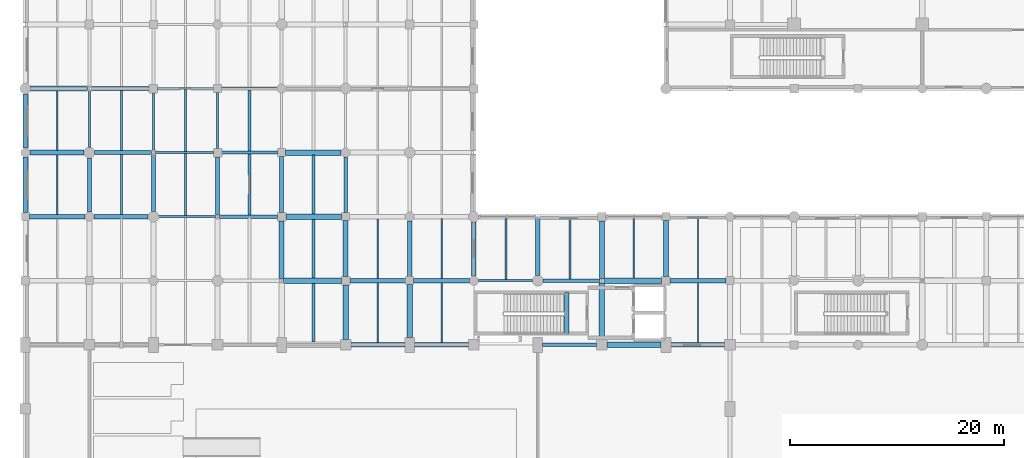
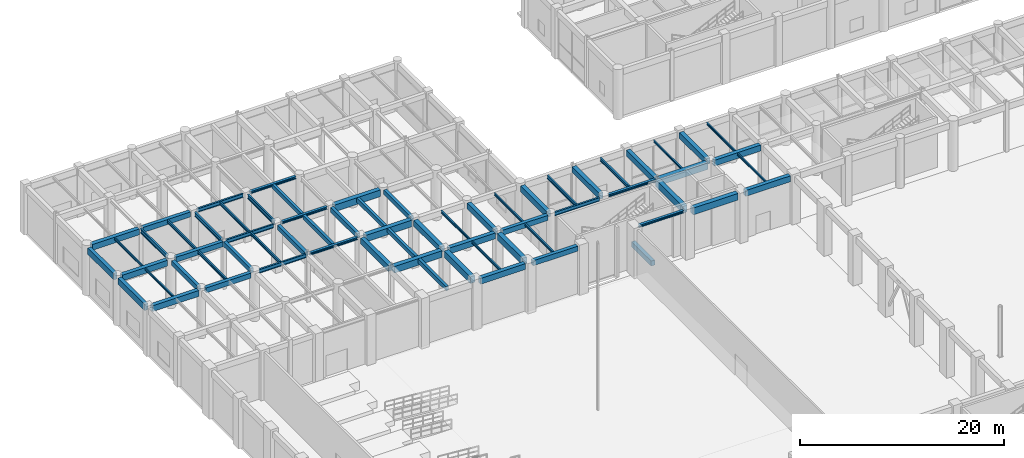
# One storey, part 32 of 106: 67 beams.
"""IFC4 building model written with IfcOpenShell, lengths in metres."""

from ifc_helpers import new_model, si_unit, direction, frame, origin, origin_2d, place, context, subcontext, project, spatial, rectangle, i_section, extrude, material, material_profile, profile_set, type_object, element, save


model = new_model("IFC4")

# Units and contexts
model_context = context("Model", 3, precision=1e-05, world=origin(), true_north=direction((0.0, 1.0)))
body_context = subcontext(model_context, "Body", "Model", "MODEL_VIEW")
ifc_project = project(units=[si_unit("LENGTHUNIT", "METRE"), si_unit("AREAUNIT", "SQUARE_METRE"), si_unit("VOLUMEUNIT", "CUBIC_METRE"), si_unit("PLANEANGLEUNIT", "RADIAN"), si_unit("MASSUNIT", "GRAM", prefix="KILO"), si_unit("THERMODYNAMICTEMPERATUREUNIT", "KELVIN"), si_unit("POWERUNIT", "WATT")], contexts=[model_context])

# Site, building, storey
site_placement = place(None, origin())
site = spatial("IfcSite", under=ifc_project, at=site_placement, CompositionType="ELEMENT")
building_placement = place(site_placement, origin())
building = spatial("IfcBuilding", under=site, at=building_placement, Name="Phaisarnlok Congress Hotel", CompositionType="ELEMENT")
storey_placement = place(building_placement, origin())
storey = spatial("IfcBuildingStorey", under=building, at=storey_placement, Name="L00", CompositionType="ELEMENT", Elevation=0.0)

# Beams
ifc_material_1 = material(Name="Concrete C40/50", Category="concrete")
ifc_material_profile_1 = material_profile(ifc_material_1, rectangle(XDim=0.35009765625, YDim=0.550048828125, at=origin_2d()), Name="RC 350x550")
ifc_profile_set_1 = profile_set([ifc_material_profile_1], Name="Concrete C40/50")
beam_type_1 = type_object("IfcBeamType", Name="BM-RC-350x550", PredefinedType="BEAM", material=ifc_profile_set_1)
beam_1_placement = place(storey_placement, frame((6.0, 96.419921875, 5.465087890625), z_axis=(0.0, 1.0, 0.0), x_axis=(-1.0, 0.0, 0.0)))
element("IfcBeam", 1, at=beam_1_placement, inside=storey, type_object=beam_type_1, Name="Beam B-01", PredefinedType="BEAM", context=body_context, shape_type="SweptSolid", body=[
    extrude(rectangle(XDim=0.35009765625, YDim=0.550048828125, at=origin_2d()), origin(), (0.0, 0.0, 1.0), 5.0849609375),
])
beam_2_placement = place(storey_placement, frame((12.0, 96.4951171875, 5.465087890625), z_axis=(0.0, 1.0, 0.0), x_axis=(-1.0, 0.0, 0.0)))
element("IfcBeam", 2, at=beam_2_placement, inside=storey, type_object=beam_type_1, Name="Beam B-01", PredefinedType="BEAM", context=body_context, shape_type="SweptSolid", body=[
    extrude(rectangle(XDim=0.35009765625, YDim=0.550048828125, at=origin_2d()), origin(), (0.0, 0.0, 1.0), 5.310302734375),
])
beam_3_placement = place(storey_placement, frame((18.0, 96.194580078125, 5.465087890625), z_axis=(0.0, 1.0, 0.0), x_axis=(-1.0, 0.0, 0.0)))
element("IfcBeam", 3, at=beam_3_placement, inside=storey, type_object=beam_type_1, Name="Beam B-01", PredefinedType="BEAM", context=body_context, shape_type="SweptSolid", body=[
    extrude(rectangle(XDim=0.35009765625, YDim=0.550048828125, at=origin_2d()), origin(), (0.0, 0.0, 1.0), 5.410400390625),
])
beam_4_placement = place(storey_placement, frame((24.0, 96.39501953125, 5.465087890625), z_axis=(0.0, 1.0, 0.0), x_axis=(-1.0, 0.0, 0.0)))
element("IfcBeam", 4, at=beam_4_placement, inside=storey, type_object=beam_type_1, Name="Beam B-01", PredefinedType="BEAM", context=body_context, shape_type="SweptSolid", body=[
    extrude(rectangle(XDim=0.35009765625, YDim=0.550048828125, at=origin_2d()), origin(), (0.0, 0.0, 1.0), 5.23486328125),
])
beam_5_placement = place(storey_placement, frame((30.0, 96.3701171875, 5.465087890625), z_axis=(0.0, 1.0, 0.0), x_axis=(-1.0, 0.0, 0.0)))
element("IfcBeam", 5, at=beam_5_placement, inside=storey, type_object=beam_type_1, Name="Beam B-01", PredefinedType="BEAM", context=body_context, shape_type="SweptSolid", body=[
    extrude(rectangle(XDim=0.35009765625, YDim=0.550048828125, at=origin_2d()), origin(), (0.0, 0.0, 1.0), 5.2099609375),
])
ifc_material_profile_2 = material_profile(ifc_material_1, rectangle(XDim=0.39990234375, YDim=0.60009765625, at=origin_2d()), Name="RC 400x600")
ifc_profile_set_2 = profile_set([ifc_material_profile_2], Name="Concrete C40/50")
beam_type_2 = type_object("IfcBeamType", Name="BM-RC-400x600", PredefinedType="BEAM", material=ifc_profile_set_2)
beam_6_placement = place(storey_placement, frame((6.419921875, 96.0, 5.43994140625), z_axis=(1.0, 0.0, 0.0), x_axis=(0.0, 1.0, 0.0)))
element("IfcBeam", 6, at=beam_6_placement, inside=storey, type_object=beam_type_2, Name="Beam B-02", PredefinedType="BEAM", context=body_context, shape_type="SweptSolid", body=[
    extrude(rectangle(XDim=0.39990234375, YDim=0.60009765625, at=origin_2d()), origin(), (0.0, 0.0, 1.0), 5.0849609375),
])
beam_7_placement = place(storey_placement, frame((6.4951171875, 102.0, 5.43994140625), z_axis=(1.0, 0.0, 0.0), x_axis=(0.0, 1.0, 0.0)))
element("IfcBeam", 7, at=beam_7_placement, inside=storey, type_object=beam_type_2, Name="Beam B-02", PredefinedType="BEAM", context=body_context, shape_type="SweptSolid", body=[
    extrude(rectangle(XDim=0.39990234375, YDim=0.60009765625, at=origin_2d()), origin(), (0.0, 0.0, 1.0), 5.309326171875),
])
beam_8_placement = place(storey_placement, frame((6.195556640625, 108.0, 5.43994140625), z_axis=(1.0, 0.0, 0.0), x_axis=(0.0, 1.0, 0.0)))
element("IfcBeam", 8, at=beam_8_placement, inside=storey, type_object=beam_type_2, Name="Beam B-02", PredefinedType="BEAM", context=body_context, shape_type="SweptSolid", body=[
    extrude(rectangle(XDim=0.39990234375, YDim=0.60009765625, at=origin_2d()), origin(), (0.0, 0.0, 1.0), 5.409423828125),
])
beam_9_placement = place(storey_placement, frame((36.445068359375, 84.0, 5.43994140625), z_axis=(1.0, 0.0, 0.0), x_axis=(0.0, 1.0, 0.0)))
element("IfcBeam", 9, at=beam_9_placement, inside=storey, type_object=beam_type_2, Name="Beam B-02", PredefinedType="BEAM", context=body_context, shape_type="SweptSolid", body=[
    extrude(rectangle(XDim=0.39990234375, YDim=0.60009765625, at=origin_2d()), origin(), (0.0, 0.0, 1.0), 5.059814453125),
])
beam_10_placement = place(storey_placement, frame((36.3701171875, 90.0, 5.43994140625), z_axis=(1.0, 0.0, 0.0), x_axis=(0.0, 1.0, 0.0)))
element("IfcBeam", 10, at=beam_10_placement, inside=storey, type_object=beam_type_2, Name="Beam B-02", PredefinedType="BEAM", context=body_context, shape_type="SweptSolid", body=[
    extrude(rectangle(XDim=0.39990234375, YDim=0.60009765625, at=origin_2d()), origin(), (0.0, 0.0, 1.0), 5.2099609375),
])
beam_11_placement = place(storey_placement, frame((50.719970703125, 85.080078125, -0.300048828125), z_axis=(0.0, 1.0, 0.0), x_axis=(-1.0, 0.0, 0.0)))
element("IfcBeam", 11, at=beam_11_placement, inside=storey, type_object=beam_type_2, Name="Stair landing header beam B-02 (CORE-5 L00)", PredefinedType="BEAM", context=body_context, shape_type="SweptSolid", body=[
    extrude(rectangle(XDim=0.39990234375, YDim=0.60009765625, at=origin_2d()), origin(), (0.0, 0.0, 1.0), 3.83984375),
])
ifc_material_profile_3 = material_profile(ifc_material_1, rectangle(XDim=0.449951171875, YDim=0.699951171875, at=origin_2d()), Name="RC 450x700")
ifc_profile_set_3 = profile_set([ifc_material_profile_3], Name="Concrete C40/50")
beam_type_3 = type_object("IfcBeamType", Name="BM-RC-450x700", PredefinedType="BEAM", material=ifc_profile_set_3)
beam_12_placement = place(storey_placement, frame((0.3701171875, 96.0, 5.389892578125), z_axis=(1.0, 0.0, 0.0), x_axis=(0.0, 1.0, 0.0)))
element("IfcBeam", 12, at=beam_12_placement, inside=storey, type_object=beam_type_3, Name="Beam B-03", PredefinedType="BEAM", context=body_context, shape_type="SweptSolid", body=[
    extrude(rectangle(XDim=0.449951171875, YDim=0.699951171875, at=origin_2d()), origin(), (0.0, 0.0, 1.0), 5.2099609375),
])
beam_13_placement = place(storey_placement, frame((0.419921875, 102.0, 5.389892578125), z_axis=(1.0, 0.0, 0.0), x_axis=(0.0, 1.0, 0.0)))
element("IfcBeam", 13, at=beam_13_placement, inside=storey, type_object=beam_type_3, Name="Beam B-03", PredefinedType="BEAM", context=body_context, shape_type="SweptSolid", body=[
    extrude(rectangle(XDim=0.449951171875, YDim=0.699951171875, at=origin_2d()), origin(), (0.0, 0.0, 1.0), 5.0849609375),
])
beam_14_placement = place(storey_placement, frame((0.4951171875, 108.0, 5.389892578125), z_axis=(1.0, 0.0, 0.0), x_axis=(0.0, 1.0, 0.0)))
element("IfcBeam", 14, at=beam_14_placement, inside=storey, type_object=beam_type_3, Name="Beam B-03", PredefinedType="BEAM", context=body_context, shape_type="SweptSolid", body=[
    extrude(rectangle(XDim=0.449951171875, YDim=0.699951171875, at=origin_2d()), origin(), (0.0, 0.0, 1.0), 5.309326171875),
])
beam_15_placement = place(storey_placement, frame((24.0, 90.194580078125, 5.389892578125), z_axis=(0.0, 1.0, 0.0), x_axis=(-1.0, 0.0, 0.0)))
element("IfcBeam", 15, at=beam_15_placement, inside=storey, type_object=beam_type_3, Name="Beam B-03", PredefinedType="BEAM", context=body_context, shape_type="SweptSolid", body=[
    extrude(rectangle(XDim=0.449951171875, YDim=0.699951171875, at=origin_2d()), origin(), (0.0, 0.0, 1.0), 5.410400390625),
])
beam_16_placement = place(storey_placement, frame((30.4951171875, 84.0, 5.389892578125), z_axis=(1.0, 0.0, 0.0), x_axis=(0.0, 1.0, 0.0)))
element("IfcBeam", 16, at=beam_16_placement, inside=storey, type_object=beam_type_3, Name="Beam B-03", PredefinedType="BEAM", context=body_context, shape_type="SweptSolid", body=[
    extrude(rectangle(XDim=0.449951171875, YDim=0.699951171875, at=origin_2d()), origin(), (0.0, 0.0, 1.0), 5.059814453125),
])
for number, where, z_axis, x_axis, name in (
    (17, (30.39501953125, 90.0, 5.389892578125), (1.0, 0.0, 0.0), (0.0, 1.0, 0.0), "Beam B-03"),
    (18, (30.0, 90.39501953125, 5.389892578125), (0.0, 1.0, 0.0), (-1.0, 0.0, 0.0), "Beam B-03"),
):
    element("IfcBeam", number, at=place(storey_placement, frame(where, z_axis=z_axis, x_axis=x_axis)), inside=storey, type_object=beam_type_3, Name=name, PredefinedType="BEAM", context=body_context, shape_type="SweptSolid", body=[
        extrude(rectangle(XDim=0.449951171875, YDim=0.699951171875, at=origin_2d()), origin(), (0.0, 0.0, 1.0), 5.23486328125),
    ])
beam_17_placement = place(storey_placement, frame((36.0, 90.3701171875, 5.389892578125), z_axis=(0.0, 1.0, 0.0), x_axis=(-1.0, 0.0, 0.0)))
element("IfcBeam", 19, at=beam_17_placement, inside=storey, type_object=beam_type_3, Name="Beam B-03", PredefinedType="BEAM", context=body_context, shape_type="SweptSolid", body=[
    extrude(rectangle(XDim=0.449951171875, YDim=0.699951171875, at=origin_2d()), origin(), (0.0, 0.0, 1.0), 5.2099609375),
])
beam_18_placement = place(storey_placement, frame((42.0, 90.419921875, 5.389892578125), z_axis=(0.0, 1.0, 0.0), x_axis=(-1.0, 0.0, 0.0)))
element("IfcBeam", 20, at=beam_18_placement, inside=storey, type_object=beam_type_3, Name="Beam B-03", PredefinedType="BEAM", context=body_context, shape_type="SweptSolid", body=[
    extrude(rectangle(XDim=0.449951171875, YDim=0.699951171875, at=origin_2d()), origin(), (0.0, 0.0, 1.0), 5.0849609375),
])
beam_19_placement = place(storey_placement, frame((48.0, 90.4951171875, 5.389892578125), z_axis=(0.0, 1.0, 0.0), x_axis=(-1.0, 0.0, 0.0)))
element("IfcBeam", 21, at=beam_19_placement, inside=storey, type_object=beam_type_3, Name="Beam B-03", PredefinedType="BEAM", context=body_context, shape_type="SweptSolid", body=[
    extrude(rectangle(XDim=0.449951171875, YDim=0.699951171875, at=origin_2d()), origin(), (0.0, 0.0, 1.0), 5.310302734375),
])
beam_20_placement = place(storey_placement, frame((54.0, 90.194580078125, 5.389892578125), z_axis=(0.0, 1.0, 0.0), x_axis=(-1.0, 0.0, 0.0)))
element("IfcBeam", 22, at=beam_20_placement, inside=storey, type_object=beam_type_3, Name="Beam B-03", PredefinedType="BEAM", context=body_context, shape_type="SweptSolid", body=[
    extrude(rectangle(XDim=0.449951171875, YDim=0.699951171875, at=origin_2d()), origin(), (0.0, 0.0, 1.0), 5.410400390625),
])
beam_21_placement = place(storey_placement, frame((60.445068359375, 84.0, 5.389892578125), z_axis=(1.0, 0.0, 0.0), x_axis=(0.0, 1.0, 0.0)))
element("IfcBeam", 23, at=beam_21_placement, inside=storey, type_object=beam_type_3, Name="Beam B-03", PredefinedType="BEAM", context=body_context, shape_type="SweptSolid", body=[
    extrude(rectangle(XDim=0.449951171875, YDim=0.699951171875, at=origin_2d()), origin(), (0.0, 0.0, 1.0), 5.059814453125),
])
for number, where, z_axis, x_axis, name in (
    (24, (60.39501953125, 90.0, 5.389892578125), (1.0, 0.0, 0.0), (0.0, 1.0, 0.0), "Beam B-03"),
    (25, (60.0, 90.39501953125, 5.389892578125), (0.0, 1.0, 0.0), (-1.0, 0.0, 0.0), "Beam B-03"),
):
    element("IfcBeam", number, at=place(storey_placement, frame(where, z_axis=z_axis, x_axis=x_axis)), inside=storey, type_object=beam_type_3, Name=name, PredefinedType="BEAM", context=body_context, shape_type="SweptSolid", body=[
        extrude(rectangle(XDim=0.449951171875, YDim=0.699951171875, at=origin_2d()), origin(), (0.0, 0.0, 1.0), 5.23486328125),
    ])
ifc_material_profile_4 = material_profile(ifc_material_1, rectangle(XDim=0.5, YDim=0.800048828125, at=origin_2d()), Name="RC 500x800")
ifc_profile_set_4 = profile_set([ifc_material_profile_4], Name="Concrete C40/50")
beam_type_4 = type_object("IfcBeamType", Name="BM-RC-500x800", PredefinedType="BEAM", material=ifc_profile_set_4)
beam_22_placement = place(storey_placement, frame((24.195556640625, 90.0, 5.340087890625), z_axis=(1.0, 0.0, 0.0), x_axis=(0.0, 1.0, 0.0)))
element("IfcBeam", 26, at=beam_22_placement, inside=storey, type_object=beam_type_4, Name="Beam B-04", PredefinedType="BEAM", context=body_context, shape_type="SweptSolid", body=[
    extrude(rectangle(XDim=0.5, YDim=0.800048828125, at=origin_2d()), origin(), (0.0, 0.0, 1.0), 5.409423828125),
])
beam_23_placement = place(storey_placement, frame((24.39501953125, 96.0, 5.340087890625), z_axis=(1.0, 0.0, 0.0), x_axis=(0.0, 1.0, 0.0)))
element("IfcBeam", 27, at=beam_23_placement, inside=storey, type_object=beam_type_4, Name="Beam B-04", PredefinedType="BEAM", context=body_context, shape_type="SweptSolid", body=[
    extrude(rectangle(XDim=0.5, YDim=0.800048828125, at=origin_2d()), origin(), (0.0, 0.0, 1.0), 5.23486328125),
])
beam_24_placement = place(storey_placement, frame((24.3701171875, 102.0, 5.340087890625), z_axis=(1.0, 0.0, 0.0), x_axis=(0.0, 1.0, 0.0)))
element("IfcBeam", 28, at=beam_24_placement, inside=storey, type_object=beam_type_4, Name="Beam B-04", PredefinedType="BEAM", context=body_context, shape_type="SweptSolid", body=[
    extrude(rectangle(XDim=0.5, YDim=0.800048828125, at=origin_2d()), origin(), (0.0, 0.0, 1.0), 5.2099609375),
])
beam_25_placement = place(storey_placement, frame((30.0, 84.4951171875, 5.340087890625), z_axis=(0.0, 1.0, 0.0), x_axis=(-1.0, 0.0, 0.0)))
element("IfcBeam", 29, at=beam_25_placement, inside=storey, type_object=beam_type_4, Name="Beam B-04", PredefinedType="BEAM", context=body_context, shape_type="SweptSolid", body=[
    extrude(rectangle(XDim=0.5, YDim=0.800048828125, at=origin_2d()), origin(), (0.0, 0.0, 1.0), 5.10986328125),
])
beam_26_placement = place(storey_placement, frame((36.0, 84.695068359375, 5.340087890625), z_axis=(0.0, 1.0, 0.0), x_axis=(-1.0, 0.0, 0.0)))
element("IfcBeam", 30, at=beam_26_placement, inside=storey, type_object=beam_type_4, Name="Beam B-04", PredefinedType="BEAM", context=body_context, shape_type="SweptSolid", body=[
    extrude(rectangle(XDim=0.5, YDim=0.800048828125, at=origin_2d()), origin(), (0.0, 0.0, 1.0), 4.934814453125),
])
beam_27_placement = place(storey_placement, frame((54.4951171875, 84.0, 5.340087890625), z_axis=(1.0, 0.0, 0.0), x_axis=(0.0, 1.0, 0.0)))
element("IfcBeam", 31, at=beam_27_placement, inside=storey, type_object=beam_type_4, Name="Beam B-04", PredefinedType="BEAM", context=body_context, shape_type="SweptSolid", body=[
    extrude(rectangle(XDim=0.5, YDim=0.800048828125, at=origin_2d()), origin(), (0.0, 0.0, 1.0), 5.059814453125),
])
beam_28_placement = place(storey_placement, frame((54.0, 84.4951171875, 5.340087890625), z_axis=(0.0, 1.0, 0.0), x_axis=(-1.0, 0.0, 0.0)))
element("IfcBeam", 32, at=beam_28_placement, inside=storey, type_object=beam_type_4, Name="Beam B-04", PredefinedType="BEAM", context=body_context, shape_type="SweptSolid", body=[
    extrude(rectangle(XDim=0.5, YDim=0.800048828125, at=origin_2d()), origin(), (0.0, 0.0, 1.0), 5.310302734375),
])
beam_29_placement = place(storey_placement, frame((54.195556640625, 90.0, 5.340087890625), z_axis=(1.0, 0.0, 0.0), x_axis=(0.0, 1.0, 0.0)))
element("IfcBeam", 33, at=beam_29_placement, inside=storey, type_object=beam_type_4, Name="Beam B-04", PredefinedType="BEAM", context=body_context, shape_type="SweptSolid", body=[
    extrude(rectangle(XDim=0.5, YDim=0.800048828125, at=origin_2d()), origin(), (0.0, 0.0, 1.0), 5.409423828125),
])
ifc_material_2 = material(Name="Steel S355", Category="steel")
ifc_material_profile_5 = material_profile(ifc_material_2, i_section(OverallWidth=0.300048828125, OverallDepth=0.2900390625, WebThickness=0.008544921875, FlangeThickness=0.013916015625, FilletRadius=0.027099609375, at=origin_2d()), Name="HEA 300")
ifc_profile_set_5 = profile_set([ifc_material_profile_5], Name="Steel S355")
beam_type_5 = type_object("IfcBeamType", Name="BM-STL-HEA300", PredefinedType="BEAM", material=ifc_profile_set_5)
beam_30_placement = place(storey_placement, frame((18.195556640625, 96.0, 5.594970703125), z_axis=(1.0, 0.0, 0.0), x_axis=(0.0, 1.0, 0.0)))
element("IfcBeam", 34, at=beam_30_placement, inside=storey, type_object=beam_type_5, Name="Beam SB-05", PredefinedType="BEAM", context=body_context, shape_type="SweptSolid", body=[
    extrude(i_section(OverallWidth=0.300048828125, OverallDepth=0.2900390625, WebThickness=0.008544921875, FlangeThickness=0.013916015625, FilletRadius=0.027099609375, at=origin_2d()), origin(), (0.0, 0.0, 1.0), 5.409423828125),
])
beam_31_placement = place(storey_placement, frame((18.39501953125, 102.0, 5.594970703125), z_axis=(1.0, 0.0, 0.0), x_axis=(0.0, 1.0, 0.0)))
element("IfcBeam", 35, at=beam_31_placement, inside=storey, type_object=beam_type_5, Name="Beam SB-05", PredefinedType="BEAM", context=body_context, shape_type="SweptSolid", body=[
    extrude(i_section(OverallWidth=0.300048828125, OverallDepth=0.2900390625, WebThickness=0.008544921875, FlangeThickness=0.013916015625, FilletRadius=0.027099609375, at=origin_2d()), origin(), (0.0, 0.0, 1.0), 5.23486328125),
])
beam_32_placement = place(storey_placement, frame((18.3701171875, 108.0, 5.594970703125), z_axis=(1.0, 0.0, 0.0), x_axis=(0.0, 1.0, 0.0)))
element("IfcBeam", 36, at=beam_32_placement, inside=storey, type_object=beam_type_5, Name="Beam SB-05", PredefinedType="BEAM", context=body_context, shape_type="SweptSolid", body=[
    extrude(i_section(OverallWidth=0.300048828125, OverallDepth=0.2900390625, WebThickness=0.008544921875, FlangeThickness=0.013916015625, FilletRadius=0.027099609375, at=origin_2d()), origin(), (0.0, 0.0, 1.0), 5.2099609375),
])
beam_33_placement = place(storey_placement, frame((48.445068359375, 84.0, 5.594970703125), z_axis=(1.0, 0.0, 0.0), x_axis=(0.0, 1.0, 0.0)))
element("IfcBeam", 37, at=beam_33_placement, inside=storey, type_object=beam_type_5, Name="Beam SB-05", PredefinedType="BEAM", context=body_context, shape_type="SweptSolid", body=[
    extrude(i_section(OverallWidth=0.300048828125, OverallDepth=0.2900390625, WebThickness=0.008544921875, FlangeThickness=0.013916015625, FilletRadius=0.027099609375, at=origin_2d()), origin(), (0.0, 0.0, 1.0), 5.059814453125),
])
beam_34_placement = place(storey_placement, frame((48.4951171875, 90.0, 5.594970703125), z_axis=(1.0, 0.0, 0.0), x_axis=(0.0, 1.0, 0.0)))
element("IfcBeam", 38, at=beam_34_placement, inside=storey, type_object=beam_type_5, Name="Beam SB-05", PredefinedType="BEAM", context=body_context, shape_type="SweptSolid", body=[
    extrude(i_section(OverallWidth=0.300048828125, OverallDepth=0.2900390625, WebThickness=0.008544921875, FlangeThickness=0.013916015625, FilletRadius=0.027099609375, at=origin_2d()), origin(), (0.0, 0.0, 1.0), 5.309326171875),
])
ifc_material_profile_6 = material_profile(ifc_material_2, i_section(OverallWidth=0.18994140625, OverallDepth=0.449951171875, WebThickness=0.009521484375, FlangeThickness=0.0146484375, FilletRadius=0.02099609375, at=origin_2d()), Name="IPE 450")
ifc_profile_set_6 = profile_set([ifc_material_profile_6], Name="Steel S355")
beam_type_6 = type_object("IfcBeamType", Name="BM-STL-IPE450", PredefinedType="BEAM", material=ifc_profile_set_6)
beam_35_placement = place(storey_placement, frame((12.4951171875, 96.0, 5.514892578125), z_axis=(1.0, 0.0, 0.0), x_axis=(0.0, 1.0, 0.0)))
element("IfcBeam", 39, at=beam_35_placement, inside=storey, type_object=beam_type_6, Name="Beam SB-01", PredefinedType="BEAM", context=body_context, shape_type="SweptSolid", body=[
    extrude(i_section(OverallWidth=0.18994140625, OverallDepth=0.449951171875, WebThickness=0.009521484375, FlangeThickness=0.0146484375, FilletRadius=0.02099609375, at=origin_2d()), origin(), (0.0, 0.0, 1.0), 5.309326171875),
])
beam_36_placement = place(storey_placement, frame((12.195556640625, 102.0, 5.514892578125), z_axis=(1.0, 0.0, 0.0), x_axis=(0.0, 1.0, 0.0)))
element("IfcBeam", 40, at=beam_36_placement, inside=storey, type_object=beam_type_6, Name="Beam SB-01", PredefinedType="BEAM", context=body_context, shape_type="SweptSolid", body=[
    extrude(i_section(OverallWidth=0.18994140625, OverallDepth=0.449951171875, WebThickness=0.009521484375, FlangeThickness=0.0146484375, FilletRadius=0.02099609375, at=origin_2d()), origin(), (0.0, 0.0, 1.0), 5.409423828125),
])
beam_37_placement = place(storey_placement, frame((12.39501953125, 108.0, 5.514892578125), z_axis=(1.0, 0.0, 0.0), x_axis=(0.0, 1.0, 0.0)))
element("IfcBeam", 41, at=beam_37_placement, inside=storey, type_object=beam_type_6, Name="Beam SB-01", PredefinedType="BEAM", context=body_context, shape_type="SweptSolid", body=[
    extrude(i_section(OverallWidth=0.18994140625, OverallDepth=0.449951171875, WebThickness=0.009521484375, FlangeThickness=0.0146484375, FilletRadius=0.02099609375, at=origin_2d()), origin(), (0.0, 0.0, 1.0), 5.23486328125),
])
beam_38_placement = place(storey_placement, frame((42.419921875, 90.0, 5.514892578125), z_axis=(1.0, 0.0, 0.0), x_axis=(0.0, 1.0, 0.0)))
element("IfcBeam", 42, at=beam_38_placement, inside=storey, type_object=beam_type_6, Name="Beam SB-01", PredefinedType="BEAM", context=body_context, shape_type="SweptSolid", body=[
    extrude(i_section(OverallWidth=0.18994140625, OverallDepth=0.449951171875, WebThickness=0.009521484375, FlangeThickness=0.0146484375, FilletRadius=0.02099609375, at=origin_2d()), origin(), (0.0, 0.0, 1.0), 5.0849609375),
])
ifc_material_profile_7 = material_profile(ifc_material_2, i_section(OverallWidth=0.199951171875, OverallDepth=0.5, WebThickness=0.01025390625, FlangeThickness=0.01611328125, FilletRadius=0.02099609375, at=origin_2d()), Name="IPE 500")
ifc_profile_set_7 = profile_set([ifc_material_profile_7], Name="Steel S355")
beam_type_7 = type_object("IfcBeamType", Name="BM-STL-IPE500", PredefinedType="BEAM", material=ifc_profile_set_7)
beam_39_placement = place(storey_placement, frame((6.0, 102.4951171875, 5.489990234375), z_axis=(0.0, 1.0, 0.0), x_axis=(-1.0, 0.0, 0.0)))
element("IfcBeam", 43, at=beam_39_placement, inside=storey, type_object=beam_type_7, Name="Beam SB-02", PredefinedType="BEAM", context=body_context, shape_type="SweptSolid", body=[
    extrude(i_section(OverallWidth=0.199951171875, OverallDepth=0.5, WebThickness=0.01025390625, FlangeThickness=0.01611328125, FilletRadius=0.02099609375, at=origin_2d()), origin(), (0.0, 0.0, 1.0), 5.310302734375),
])
beam_40_placement = place(storey_placement, frame((12.0, 102.194580078125, 5.489990234375), z_axis=(0.0, 1.0, 0.0), x_axis=(-1.0, 0.0, 0.0)))
element("IfcBeam", 44, at=beam_40_placement, inside=storey, type_object=beam_type_7, Name="Beam SB-02", PredefinedType="BEAM", context=body_context, shape_type="SweptSolid", body=[
    extrude(i_section(OverallWidth=0.199951171875, OverallDepth=0.5, WebThickness=0.01025390625, FlangeThickness=0.01611328125, FilletRadius=0.02099609375, at=origin_2d()), origin(), (0.0, 0.0, 1.0), 5.410400390625),
])
beam_41_placement = place(storey_placement, frame((18.0, 102.39501953125, 5.489990234375), z_axis=(0.0, 1.0, 0.0), x_axis=(-1.0, 0.0, 0.0)))
element("IfcBeam", 45, at=beam_41_placement, inside=storey, type_object=beam_type_7, Name="Beam SB-02", PredefinedType="BEAM", context=body_context, shape_type="SweptSolid", body=[
    extrude(i_section(OverallWidth=0.199951171875, OverallDepth=0.5, WebThickness=0.01025390625, FlangeThickness=0.01611328125, FilletRadius=0.02099609375, at=origin_2d()), origin(), (0.0, 0.0, 1.0), 5.23486328125),
])
ifc_material_profile_8 = material_profile(ifc_material_1, rectangle(XDim=0.300048828125, YDim=0.5, at=origin_2d()), Name="RC 300x500")
ifc_profile_set_8 = profile_set([ifc_material_profile_8], Name="Concrete C40/50")
beam_type_8 = type_object("IfcBeamType", Name="JS-RC-300x500", PredefinedType="JOIST", material=ifc_profile_set_8)
for number, where, z_axis, x_axis, name in (
    (46, (21.0, 96.14501953125, 5.489990234375), (0.0, 1.0, 0.0), (-1.0, 0.0, 0.0), "Secondary floor joist J-01"),
    (47, (21.0, 102.14501953125, 5.489990234375), (0.0, 1.0, 0.0), (-1.0, 0.0, 0.0), "Secondary floor joist J-01"),
):
    element("IfcBeam", number, at=place(storey_placement, frame(where, z_axis=z_axis, x_axis=x_axis)), inside=storey, type_object=beam_type_8, Name=name, PredefinedType="JOIST", context=body_context, shape_type="SweptSolid", body=[
        extrude(rectangle(XDim=0.300048828125, YDim=0.5, at=origin_2d()), origin(), (0.0, 0.0, 1.0), 5.7099609375),
    ])
for number, where, z_axis, x_axis, name in (
    (48, (27.0, 84.2451171875, 5.489990234375), (0.0, 1.0, 0.0), (-1.0, 0.0, 0.0), "Secondary floor joist J-01"),
    (49, (27.0, 90.2451171875, 5.489990234375), (0.0, 1.0, 0.0), (-1.0, 0.0, 0.0), "Secondary floor joist J-01"),
    (50, (27.0, 96.2451171875, 5.489990234375), (0.0, 1.0, 0.0), (-1.0, 0.0, 0.0), "Secondary floor joist J-01"),
):
    element("IfcBeam", number, at=place(storey_placement, frame(where, z_axis=z_axis, x_axis=x_axis)), inside=storey, type_object=beam_type_8, Name=name, PredefinedType="JOIST", context=body_context, shape_type="SweptSolid", body=[
        extrude(rectangle(XDim=0.300048828125, YDim=0.5, at=origin_2d()), origin(), (0.0, 0.0, 1.0), 5.509765625),
    ])
ifc_material_profile_9 = material_profile(ifc_material_2, i_section(OverallWidth=0.135009765625, OverallDepth=0.27001953125, WebThickness=0.006591796875, FlangeThickness=0.01025390625, FilletRadius=0.014892578125, at=origin_2d()), Name="IPE 270")
ifc_profile_set_9 = profile_set([ifc_material_profile_9], Name="Steel S355")
beam_type_9 = type_object("IfcBeamType", Name="JS-STL-IPE270", PredefinedType="JOIST", material=ifc_profile_set_9)
for number, where, z_axis, x_axis, name in (
    (51, (3.0, 96.219970703125, 5.60498046875), (0.0, 1.0, 0.0), (-1.0, 0.0, 0.0), "Secondary floor joist J-02"),
    (52, (3.0, 102.219970703125, 5.60498046875), (0.0, 1.0, 0.0), (-1.0, 0.0, 0.0), "Secondary floor joist J-02"),
):
    element("IfcBeam", number, at=place(storey_placement, frame(where, z_axis=z_axis, x_axis=x_axis)), inside=storey, type_object=beam_type_9, Name=name, PredefinedType="JOIST", context=body_context, shape_type="SweptSolid", body=[
        extrude(i_section(OverallWidth=0.135009765625, OverallDepth=0.27001953125, WebThickness=0.006591796875, FlangeThickness=0.01025390625, FilletRadius=0.014892578125, at=origin_2d()), origin(), (0.0, 0.0, 1.0), 5.56005859375),
    ])
beam_42_placement = place(storey_placement, frame((57.0, 90.2451171875, 5.60498046875), z_axis=(0.0, 1.0, 0.0), x_axis=(-1.0, 0.0, 0.0)))
element("IfcBeam", 53, at=beam_42_placement, inside=storey, type_object=beam_type_9, Name="Secondary floor joist J-02", PredefinedType="JOIST", context=body_context, shape_type="SweptSolid", body=[
    extrude(i_section(OverallWidth=0.135009765625, OverallDepth=0.27001953125, WebThickness=0.006591796875, FlangeThickness=0.01025390625, FilletRadius=0.014892578125, at=origin_2d()), origin(), (0.0, 0.0, 1.0), 5.559814453125),
])
beam_43_placement = place(storey_placement, frame((63.0, 84.219970703125, 5.60498046875), z_axis=(0.0, 1.0, 0.0), x_axis=(-1.0, 0.0, 0.0)))
element("IfcBeam", 54, at=beam_43_placement, inside=storey, type_object=beam_type_9, Name="Secondary floor joist J-02", PredefinedType="JOIST", context=body_context, shape_type="SweptSolid", body=[
    extrude(i_section(OverallWidth=0.135009765625, OverallDepth=0.27001953125, WebThickness=0.006591796875, FlangeThickness=0.01025390625, FilletRadius=0.014892578125, at=origin_2d()), origin(), (0.0, 0.0, 1.0), 5.56005859375),
])
beam_44_placement = place(storey_placement, frame((63.0, 90.219970703125, 5.60498046875), z_axis=(0.0, 1.0, 0.0), x_axis=(-1.0, 0.0, 0.0)))
element("IfcBeam", 55, at=beam_44_placement, inside=storey, type_object=beam_type_9, Name="Secondary floor joist J-02", PredefinedType="JOIST", context=body_context, shape_type="SweptSolid", body=[
    extrude(i_section(OverallWidth=0.135009765625, OverallDepth=0.27001953125, WebThickness=0.006591796875, FlangeThickness=0.01025390625, FilletRadius=0.014892578125, at=origin_2d()), origin(), (0.0, 0.0, 1.0), 5.5849609375),
])
ifc_material_profile_10 = material_profile(ifc_material_2, i_section(OverallWidth=0.14990234375, OverallDepth=0.300048828125, WebThickness=0.007080078125, FlangeThickness=0.0107421875, FilletRadius=0.014892578125, at=origin_2d()), Name="IPE 300")
ifc_profile_set_10 = profile_set([ifc_material_profile_10], Name="Steel S355")
beam_type_10 = type_object("IfcBeamType", Name="JS-STL-IPE300", PredefinedType="JOIST", material=ifc_profile_set_10)
for number, where, z_axis, x_axis, name in (
    (56, (33.0, 84.219970703125, 5.590087890625), (0.0, 1.0, 0.0), (-1.0, 0.0, 0.0), "Secondary floor joist J-03"),
    (57, (33.0, 90.219970703125, 5.590087890625), (0.0, 1.0, 0.0), (-1.0, 0.0, 0.0), "Secondary floor joist J-03"),
):
    element("IfcBeam", number, at=place(storey_placement, frame(where, z_axis=z_axis, x_axis=x_axis)), inside=storey, type_object=beam_type_10, Name=name, PredefinedType="JOIST", context=body_context, shape_type="SweptSolid", body=[
        extrude(i_section(OverallWidth=0.14990234375, OverallDepth=0.300048828125, WebThickness=0.007080078125, FlangeThickness=0.0107421875, FilletRadius=0.014892578125, at=origin_2d()), origin(), (0.0, 0.0, 1.0), 5.56005859375),
    ])
for number, where, z_axis, x_axis, name in (
    (58, (39.0, 84.195068359375, 5.590087890625), (0.0, 1.0, 0.0), (-1.0, 0.0, 0.0), "Secondary floor joist J-03"),
    (59, (39.0, 90.195068359375, 5.590087890625), (0.0, 1.0, 0.0), (-1.0, 0.0, 0.0), "Secondary floor joist J-03"),
):
    element("IfcBeam", number, at=place(storey_placement, frame(where, z_axis=z_axis, x_axis=x_axis)), inside=storey, type_object=beam_type_10, Name=name, PredefinedType="JOIST", context=body_context, shape_type="SweptSolid", body=[
        extrude(i_section(OverallWidth=0.14990234375, OverallDepth=0.300048828125, WebThickness=0.007080078125, FlangeThickness=0.0107421875, FilletRadius=0.014892578125, at=origin_2d()), origin(), (0.0, 0.0, 1.0), 5.60986328125),
    ])
ifc_material_profile_11 = material_profile(ifc_material_2, i_section(OverallWidth=0.169921875, OverallDepth=0.360107421875, WebThickness=0.008056640625, FlangeThickness=0.0126953125, FilletRadius=0.01806640625, at=origin_2d()), Name="IPE 360")
ifc_profile_set_11 = profile_set([ifc_material_profile_11], Name="Steel S355")
beam_type_11 = type_object("IfcBeamType", Name="JS-STL-IPE360", PredefinedType="JOIST", material=ifc_profile_set_11)
for number, where, z_axis, x_axis, name in (
    (60, (9.0, 96.195068359375, 5.56005859375), (0.0, 1.0, 0.0), (-1.0, 0.0, 0.0), "Secondary floor joist J-04"),
    (61, (9.0, 102.195068359375, 5.56005859375), (0.0, 1.0, 0.0), (-1.0, 0.0, 0.0), "Secondary floor joist J-04"),
):
    element("IfcBeam", number, at=place(storey_placement, frame(where, z_axis=z_axis, x_axis=x_axis)), inside=storey, type_object=beam_type_11, Name=name, PredefinedType="JOIST", context=body_context, shape_type="SweptSolid", body=[
        extrude(i_section(OverallWidth=0.169921875, OverallDepth=0.360107421875, WebThickness=0.008056640625, FlangeThickness=0.0126953125, FilletRadius=0.01806640625, at=origin_2d()), origin(), (0.0, 0.0, 1.0), 5.60986328125),
    ])
for number, where, z_axis, x_axis, name in (
    (62, (15.0, 96.090087890625, 5.56005859375), (0.0, 1.0, 0.0), (-1.0, 0.0, 0.0), "Secondary floor joist J-04"),
    (63, (15.0, 102.090087890625, 5.56005859375), (0.0, 1.0, 0.0), (-1.0, 0.0, 0.0), "Secondary floor joist J-04"),
):
    element("IfcBeam", number, at=place(storey_placement, frame(where, z_axis=z_axis, x_axis=x_axis)), inside=storey, type_object=beam_type_11, Name=name, PredefinedType="JOIST", context=body_context, shape_type="SweptSolid", body=[
        extrude(i_section(OverallWidth=0.169921875, OverallDepth=0.360107421875, WebThickness=0.008056640625, FlangeThickness=0.0126953125, FilletRadius=0.01806640625, at=origin_2d()), origin(), (0.0, 0.0, 1.0), 5.81982421875),
    ])
ifc_material_profile_12 = material_profile(ifc_material_2, i_section(OverallWidth=0.179931640625, OverallDepth=0.39990234375, WebThickness=0.008544921875, FlangeThickness=0.013427734375, FilletRadius=0.02099609375, at=origin_2d()), Name="IPE 400")
ifc_profile_set_12 = profile_set([ifc_material_profile_12], Name="Steel S355")
beam_type_12 = type_object("IfcBeamType", Name="JS-STL-IPE400", PredefinedType="JOIST", material=ifc_profile_set_12)
beam_45_placement = place(storey_placement, frame((45.0, 90.090087890625, 5.5400390625), z_axis=(0.0, 1.0, 0.0), x_axis=(-1.0, 0.0, 0.0)))
element("IfcBeam", 64, at=beam_45_placement, inside=storey, type_object=beam_type_12, Name="Secondary floor joist J-05", PredefinedType="JOIST", context=body_context, shape_type="SweptSolid", body=[
    extrude(i_section(OverallWidth=0.179931640625, OverallDepth=0.39990234375, WebThickness=0.008544921875, FlangeThickness=0.013427734375, FilletRadius=0.02099609375, at=origin_2d()), origin(), (0.0, 0.0, 1.0), 5.71484375),
])
beam_46_placement = place(storey_placement, frame((51.0, 90.14501953125, 5.5400390625), z_axis=(0.0, 1.0, 0.0), x_axis=(-1.0, 0.0, 0.0)))
element("IfcBeam", 65, at=beam_46_placement, inside=storey, type_object=beam_type_12, Name="Secondary floor joist J-05", PredefinedType="JOIST", context=body_context, shape_type="SweptSolid", body=[
    extrude(i_section(OverallWidth=0.179931640625, OverallDepth=0.39990234375, WebThickness=0.008544921875, FlangeThickness=0.013427734375, FilletRadius=0.02099609375, at=origin_2d()), origin(), (0.0, 0.0, 1.0), 5.659912109375),
])
ifc_material_profile_13 = material_profile(ifc_material_1, rectangle(XDim=0.39990234375, YDim=0.75, at=origin_2d()), Name="RC 400x750")
ifc_profile_set_13 = profile_set([ifc_material_profile_13], Name="Concrete C40/50")
beam_type_13 = type_object("IfcBeamType", Name="SP-RC-400x750", PredefinedType="SPANDREL", material=ifc_profile_set_13)
beam_47_placement = place(storey_placement, frame((0.0, 96.3701171875, 5.364990234375), z_axis=(0.0, 1.0, 0.0), x_axis=(-1.0, 0.0, 0.0)))
element("IfcBeam", 66, at=beam_47_placement, inside=storey, type_object=beam_type_13, Name="Beam SP-02", PredefinedType="SPANDREL", context=body_context, shape_type="SweptSolid", body=[
    extrude(rectangle(XDim=0.39990234375, YDim=0.75, at=origin_2d()), origin(), (0.0, 0.0, 1.0), 5.2099609375),
])
beam_48_placement = place(storey_placement, frame((0.0, 102.419921875, 5.364990234375), z_axis=(0.0, 1.0, 0.0), x_axis=(-1.0, 0.0, 0.0)))
element("IfcBeam", 67, at=beam_48_placement, inside=storey, type_object=beam_type_13, Name="Beam SP-02", PredefinedType="SPANDREL", context=body_context, shape_type="SweptSolid", body=[
    extrude(rectangle(XDim=0.39990234375, YDim=0.75, at=origin_2d()), origin(), (0.0, 0.0, 1.0), 5.0849609375),
])

save(model, "model.ifc")
